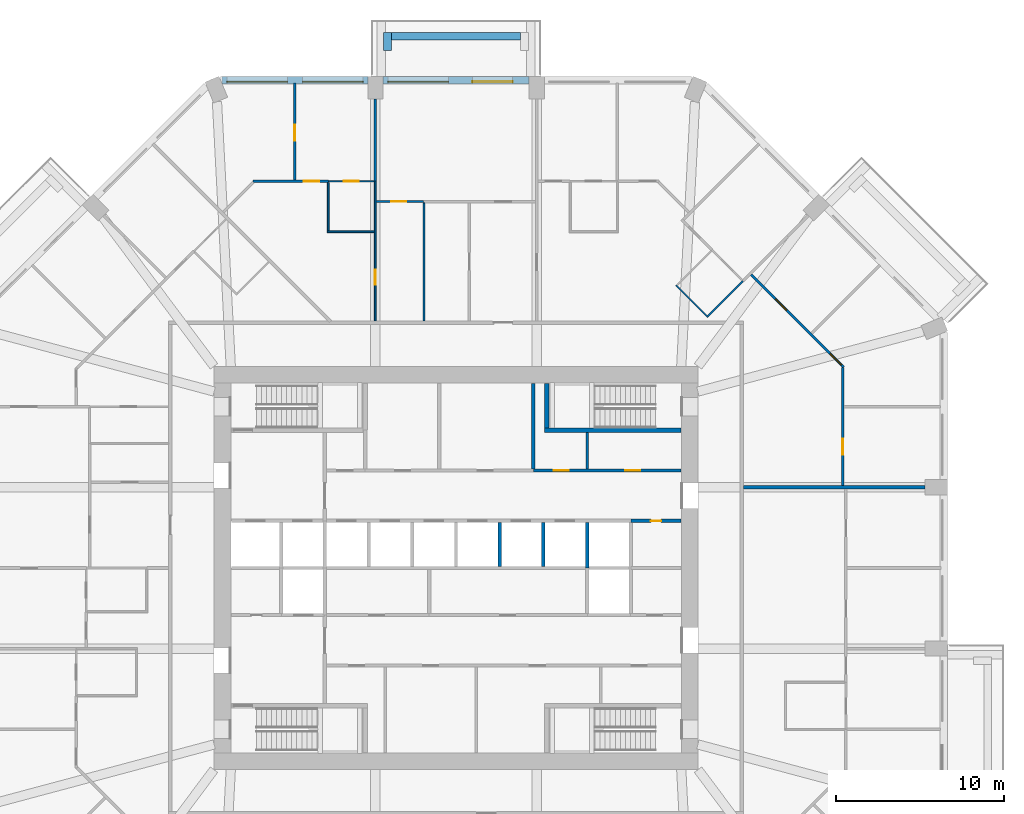
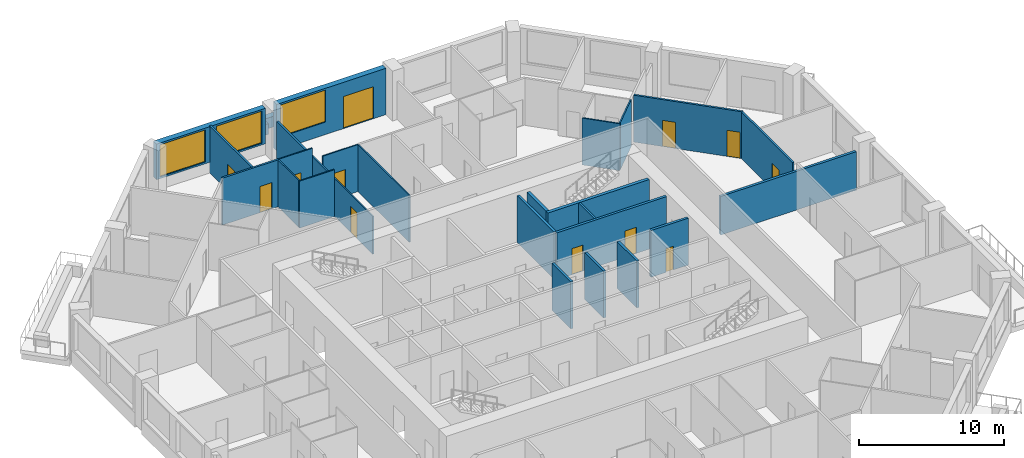
# One storey, part 9 of 13: 27 walls, 12 doors, 3 windows, 15 openings.
"""IFC4 building model written with IfcOpenShell, lengths in metres."""

from ifc_helpers import new_model, si_unit, direction, frame, frame_2d, origin, place, context, subcontext, project, spatial, rectangle, extrude, material, layer, layer_set, type_object, element, fill, save


model = new_model("IFC4")

# Units and contexts
model_context = context("Model", 3, precision=1e-05, world=origin(), true_north=direction((0.0, 1.0)))
body_context = subcontext(model_context, "Body", "Model", "MODEL_VIEW")
ifc_project = project(units=[si_unit("LENGTHUNIT", "METRE"), si_unit("AREAUNIT", "SQUARE_METRE"), si_unit("VOLUMEUNIT", "CUBIC_METRE"), si_unit("PLANEANGLEUNIT", "RADIAN"), si_unit("MASSUNIT", "GRAM", prefix="KILO")], contexts=[model_context])

# Site, building, storey
site_placement = place(None, origin())
site = spatial("IfcSite", under=ifc_project, at=site_placement, CompositionType="ELEMENT")
building_placement = place(site_placement, origin())
building = spatial("IfcBuilding", under=site, at=building_placement, Name="Msitu Wima Residences", CompositionType="ELEMENT")
storey_placement = place(building_placement, frame((0.0, 0.0, 88.5)))
storey = spatial("IfcBuildingStorey", under=building, at=storey_placement, Name="L20", CompositionType="ELEMENT", Elevation=88.5)

# Walls
ifc_material_1 = material(Name="Facing brick")
ifc_layer_1 = layer(ifc_material_1, 0.06494140625, Name="Facing brick")
ifc_material_2 = material(Name="Concrete C40/50", Category="concrete")
ifc_layer_2 = layer(ifc_material_2, 0.156005859375, Name="Concrete C40/50")
ifc_material_3 = material(Name="Waterproofing membrane")
ifc_layer_3 = layer(ifc_material_3, 0.00390625, Name="Waterproofing membrane")
ifc_material_4 = material(Name="Planting soil and planting")
ifc_layer_4 = layer(ifc_material_4, 0.22509765625, Name="Planting soil and planting")
ifc_layer_set_1 = layer_set([ifc_layer_1, ifc_layer_2, ifc_layer_3, ifc_layer_4], Name="Concrete C40/50")
wall_type_1 = type_object("IfcWallType", Name="Balcony planter PLANTER PL450", PredefinedType="USERDEFINED", material=ifc_layer_set_1)
wall_1_placement = place(storey_placement, frame((3.85009765625, 31.625, 0.0), z_axis=(0.0, 0.0, 1.0), x_axis=(-1.0, 0.0, 0.0)))
element("IfcWall", 1, at=wall_1_placement, inside=storey, type_object=wall_type_1, Name="Balcony planter N1 L20", ObjectType="PLANTER", PredefinedType="USERDEFINED", context=body_context, shape_type="SweptSolid", body=[
    extrude(rectangle(XDim=7.7001953125, YDim=0.449951171875, at=frame_2d((3.85009765625, 0.0))), origin(), (0.0, 0.0, 1.0), 0.89990234375),
])
wall_2_placement = place(storey_placement, frame((-4.074951171875, 30.800048828125, 0.0), z_axis=(0.0, 0.0, 1.0), x_axis=(0.0, 1.0, 0.0)))
element("IfcWall", 2, at=wall_2_placement, inside=storey, type_object=wall_type_1, Name="Balcony planter N1 L20", ObjectType="PLANTER", PredefinedType="USERDEFINED", context=body_context, shape_type="SweptSolid", body=[
    extrude(rectangle(XDim=1.050048828125, YDim=0.449951171875, at=frame_2d((0.52490234375, 0.0))), origin(), (0.0, 0.0, 1.0), 0.89990234375),
])

# Wall, openings, door, window
ifc_material_5 = material(Name="Brick (red buff mix)", Category="masonry")
ifc_layer_5 = layer(ifc_material_5, 0.449951171875)
ifc_layer_set_2 = layer_set([ifc_layer_5], Name="Brick (red buff mix)")
wall_type_2 = type_object("IfcWallType", Name="Brick infill wall BW450", PredefinedType="SOLIDWALL", material=ifc_layer_set_2)
wall_3_placement = place(storey_placement, frame((4.35009765625, 29.02490234375, 0.0), z_axis=(0.0, 0.0, 1.0), x_axis=(-1.0, 0.0, 0.0)))
wall_3 = element("IfcWall", 3, at=wall_3_placement, inside=storey, type_object=wall_type_2, Name="Brick infill wall L20 N1", PredefinedType="SOLIDWALL", context=body_context, shape_type="SweptSolid", body=[
    extrude(rectangle(XDim=8.7001953125, YDim=0.449951171875, at=frame_2d((4.35009765625, 0.0))), origin(), (0.0, 0.0, 1.0), 3.89990234375),
])
opening_1_placement = place(wall_3_placement, frame((0.97509765625, 0.0, 0.0)))
opening_1 = element("IfcOpeningElement", 4, at=opening_1_placement, cuts=wall_3, Name="Opening D18-20.002", PredefinedType="OPENING", context=body_context, shape_type="SweptSolid", body=[
    extrude(rectangle(XDim=2.39990234375, YDim=2.699951171875, at=frame_2d((1.199951171875, 1.35009765625))), frame((0.0, 0.23486328125, 0.0), z_axis=(0.0, -1.0, 0.0), x_axis=(1.0, 0.0, 0.0)), (0.0, 0.0, 1.0), 0.469970703125),
])
opening_2_placement = place(wall_3_placement, frame((4.800048828125, 0.0, 1.050048828125)))
opening_2 = element("IfcOpeningElement", 5, at=opening_2_placement, cuts=wall_3, Name="Opening W18-20.008", PredefinedType="OPENING", context=body_context, shape_type="SweptSolid", body=[
    extrude(rectangle(XDim=3.60009765625, YDim=2.699951171875, at=frame_2d((1.800048828125, 1.35009765625))), frame((0.0, 0.23486328125, 0.0), z_axis=(0.0, -1.0, 0.0), x_axis=(1.0, 0.0, 0.0)), (0.0, 0.0, 1.0), 0.469970703125),
])
ifc_material_6 = material(Name="Anodised aluminium, bronze finish, clear low-emissivity double glazing", Category="aluminium")
door_type_1 = type_object("IfcDoorType", Name="Balcony door D2400x2700", OperationType="SLIDING_TO_LEFT", PredefinedType="DOOR", material=ifc_material_6)
door_1_placement = place(opening_1_placement, origin())
door_1 = element("IfcDoor", 6, at=door_1_placement, inside=storey, type_object=door_type_1, Name="Balcony door L20 N1", OperationType="SINGLE_SWING_LEFT", OverallHeight=2.699951171875, OverallWidth=2.39990234375, PredefinedType="DOOR", context=body_context, shape_type="SweptSolid", body=[
    extrude(rectangle(XDim=2.39990234375, YDim=2.699951171875, at=frame_2d((1.199951171875, 1.35009765625))), frame((0.0, 0.1298828125, 0.0), z_axis=(0.0, -1.0, 0.0), x_axis=(1.0, 0.0, 0.0)), (0.0, 0.0, 1.0), 0.050048828125),
])
fill(opening_1, door_1)
window_type = type_object("IfcWindowType", Name="Window W3600x2700", PartitioningType="DOUBLE_PANEL_VERTICAL", PredefinedType="WINDOW", material=ifc_material_6)
window_1_placement = place(opening_2_placement, origin())
window_1 = element("IfcWindow", 7, at=window_1_placement, inside=storey, type_object=window_type, Name="Window L20 N1.2", OverallHeight=2.699951171875, OverallWidth=3.60009765625, PartitioningType="SINGLE_PANEL", PredefinedType="WINDOW", context=body_context, shape_type="SweptSolid", body=[
    extrude(rectangle(XDim=3.60009765625, YDim=2.699951171875, at=frame_2d((1.800048828125, 1.35009765625))), frame((0.0, 0.135009765625, 0.0), z_axis=(0.0, -1.0, 0.0), x_axis=(1.0, 0.0, 0.0)), (0.0, 0.0, 1.0), 0.06005859375),
])
fill(opening_2, window_1)

# Wall, openings, windows
wall_4_placement = place(storey_placement, frame((-5.25, 29.02490234375, 0.89990234375), z_axis=(0.0, 0.0, 1.0), x_axis=(-1.0, 0.0, 0.0)))
wall_4 = element("IfcWall", 8, at=wall_4_placement, inside=storey, type_object=wall_type_2, Name="Brick infill wall L20 N2", PredefinedType="SOLIDWALL", context=body_context, shape_type="SweptSolid", body=[
    extrude(rectangle(XDim=8.662841796875, YDim=0.449951171875, at=frame_2d((4.33154296875, 0.0))), origin(), (0.0, 0.0, 1.0), 3.0),
])
opening_3_placement = place(wall_4_placement, frame((0.281494140625, 0.0, 0.14990234375)))
opening_3 = element("IfcOpeningElement", 9, at=opening_3_placement, cuts=wall_4, Name="Opening W18-20.009", PredefinedType="OPENING", context=body_context, shape_type="SweptSolid", body=[
    extrude(rectangle(XDim=3.60009765625, YDim=2.699951171875, at=frame_2d((1.800048828125, 1.35009765625))), frame((0.0, 0.23486328125, 0.0), z_axis=(0.0, -1.0, 0.0), x_axis=(1.0, 0.0, 0.0)), (0.0, 0.0, 1.0), 0.469970703125),
])
opening_4_placement = place(wall_4_placement, frame((4.781494140625, 0.0, 0.14990234375)))
opening_4 = element("IfcOpeningElement", 10, at=opening_4_placement, cuts=wall_4, Name="Opening W18-20.010", PredefinedType="OPENING", context=body_context, shape_type="SweptSolid", body=[
    extrude(rectangle(XDim=3.60009765625, YDim=2.699951171875, at=frame_2d((1.800048828125, 1.35009765625))), frame((0.0, 0.23486328125, 0.0), z_axis=(0.0, -1.0, 0.0), x_axis=(1.0, 0.0, 0.0)), (0.0, 0.0, 1.0), 0.469970703125),
])
window_2_placement = place(opening_3_placement, origin())
window_2 = element("IfcWindow", 11, at=window_2_placement, inside=storey, type_object=window_type, Name="Window L20 N2.1", OverallHeight=2.699951171875, OverallWidth=3.60009765625, PartitioningType="SINGLE_PANEL", PredefinedType="WINDOW", context=body_context, shape_type="SweptSolid", body=[
    extrude(rectangle(XDim=3.60009765625, YDim=2.699951171875, at=frame_2d((1.800048828125, 1.35009765625))), frame((0.0, 0.135009765625, 0.0), z_axis=(0.0, -1.0, 0.0), x_axis=(1.0, 0.0, 0.0)), (0.0, 0.0, 1.0), 0.06005859375),
])
fill(opening_3, window_2)
window_3_placement = place(opening_4_placement, origin())
window_3 = element("IfcWindow", 12, at=window_3_placement, inside=storey, type_object=window_type, Name="Window L20 N2.2", OverallHeight=2.699951171875, OverallWidth=3.60009765625, PartitioningType="SINGLE_PANEL", PredefinedType="WINDOW", context=body_context, shape_type="SweptSolid", body=[
    extrude(rectangle(XDim=3.60009765625, YDim=2.699951171875, at=frame_2d((1.800048828125, 1.35009765625))), frame((0.0, 0.135009765625, 0.0), z_axis=(0.0, -1.0, 0.0), x_axis=(1.0, 0.0, 0.0)), (0.0, 0.0, 1.0), 0.06005859375),
])
fill(opening_4, window_3)

# Wall, openings, doors
ifc_material_7 = material(Name="Plaster")
ifc_layer_6 = layer(ifc_material_7, 0.011962890625, Name="Plaster")
ifc_material_8 = material(Name="Concrete blockwork", Category="masonry")
ifc_layer_7 = layer(ifc_material_8, 0.176025390625, Name="Concrete blockwork")
ifc_layer_8 = layer(ifc_material_7, 0.011962890625, Name="Plaster")
ifc_layer_set_3 = layer_set([ifc_layer_6, ifc_layer_7, ifc_layer_8], Name="Concrete blockwork")
wall_type_3 = type_object("IfcWallType", Name="Corridor wall FW200", PredefinedType="PARTITIONING", material=ifc_layer_set_3)
wall_5_placement = place(storey_placement, frame((4.6201171875, 5.800048828125, 0.0), z_axis=(0.0, 0.0, 1.0), x_axis=(1.0, 0.0, 0.0)))
wall_5 = element("IfcWall", 13, at=wall_5_placement, inside=storey, type_object=wall_type_3, Name="Corridor wall", PredefinedType="PARTITIONING", context=body_context, shape_type="SweptSolid", body=[
    extrude(rectangle(XDim=8.75, YDim=0.199951171875, at=frame_2d((4.375, 0.0))), origin(), (0.0, 0.0, 1.0), 3.949951171875),
])
opening_5_placement = place(wall_5_placement, frame((1.199951171875, 0.0, 0.0)))
opening_5 = element("IfcOpeningElement", 14, at=opening_5_placement, cuts=wall_5, Name="Opening D18-20.019", PredefinedType="OPENING", context=body_context, shape_type="SweptSolid", body=[
    extrude(rectangle(XDim=0.89990234375, YDim=2.199951171875, at=frame_2d((0.449951171875, 1.10009765625))), frame((0.0, 0.10986328125, 0.0), z_axis=(0.0, -1.0, 0.0), x_axis=(1.0, 0.0, 0.0)), (0.0, 0.0, 1.0), 0.219970703125),
])
opening_6_placement = place(wall_5_placement, frame((5.449951171875, 0.0, 0.0)))
opening_6 = element("IfcOpeningElement", 15, at=opening_6_placement, cuts=wall_5, Name="Opening D18-20.020", PredefinedType="OPENING", context=body_context, shape_type="SweptSolid", body=[
    extrude(rectangle(XDim=0.89990234375, YDim=2.199951171875, at=frame_2d((0.449951171875, 1.10009765625))), frame((0.0, 0.10986328125, 0.0), z_axis=(0.0, -1.0, 0.0), x_axis=(1.0, 0.0, 0.0)), (0.0, 0.0, 1.0), 0.219970703125),
])
ifc_material_9 = material(Name="Timber flush door", Category="wood")
door_type_2 = type_object("IfcDoorType", Name="Service door D05 900x2200", OperationType="SINGLE_SWING_LEFT", PredefinedType="DOOR", material=ifc_material_9)
door_2_placement = place(opening_5_placement, origin())
door_2 = element("IfcDoor", 16, at=door_2_placement, inside=storey, type_object=door_type_2, Name="Service door", OperationType="SINGLE_SWING_RIGHT", OverallHeight=2.199951171875, OverallWidth=0.89990234375, PredefinedType="DOOR", context=body_context, shape_type="SweptSolid", body=[
    extrude(rectangle(XDim=0.89990234375, YDim=2.199951171875, at=frame_2d((0.449951171875, 1.10009765625))), frame((0.0, 0.02490234375, 0.0), z_axis=(0.0, -1.0, 0.0), x_axis=(1.0, 0.0, 0.0)), (0.0, 0.0, 1.0), 0.050048828125),
])
fill(opening_5, door_2)
door_3_placement = place(opening_6_placement, origin())
door_3 = element("IfcDoor", 17, at=door_3_placement, inside=storey, type_object=door_type_2, Name="Service door", OperationType="SINGLE_SWING_LEFT", OverallHeight=2.199951171875, OverallWidth=0.89990234375, PredefinedType="DOOR", context=body_context, shape_type="SweptSolid", body=[
    extrude(rectangle(XDim=0.89990234375, YDim=2.199951171875, at=frame_2d((0.449951171875, 1.10009765625))), frame((0.0, 0.02490234375, 0.0), z_axis=(0.0, -1.0, 0.0), x_axis=(1.0, 0.0, 0.0)), (0.0, 0.0, 1.0), 0.050048828125),
])
fill(opening_6, door_3)

# Wall, opening, door
ifc_layer_9 = layer(ifc_material_7, 0.011962890625, Name="Plaster")
ifc_layer_10 = layer(ifc_material_8, 0.1259765625, Name="Concrete blockwork")
ifc_layer_11 = layer(ifc_material_7, 0.011962890625, Name="Plaster")
ifc_layer_set_4 = layer_set([ifc_layer_9, ifc_layer_10, ifc_layer_11], Name="Concrete blockwork")
wall_type_4 = type_object("IfcWallType", Name="Partition PW150", PredefinedType="PARTITIONING", material=ifc_layer_set_4)
wall_6_placement = place(storey_placement, frame((-12.072509765625, 23.0, 0.0), z_axis=(0.0, 0.0, 1.0), x_axis=(1.0, 0.0, 0.0)))
wall_6 = element("IfcWall", 18, at=wall_6_placement, inside=storey, type_object=wall_type_4, Name="Partition", PredefinedType="PARTITIONING", context=body_context, shape_type="SweptSolid", body=[
    extrude(rectangle(XDim=4.492431640625, YDim=0.14990234375, at=frame_2d((2.24609375, 0.0))), origin(), (0.0, 0.0, 1.0), 3.949951171875),
])
opening_7_placement = place(wall_6_placement, frame((3.0, 0.0, 0.0)))
opening_7 = element("IfcOpeningElement", 19, at=opening_7_placement, cuts=wall_6, Name="Opening D18-20.042", PredefinedType="OPENING", context=body_context, shape_type="SweptSolid", body=[
    extrude(rectangle(XDim=0.949951171875, YDim=2.199951171875, at=frame_2d((0.47509765625, 1.10009765625))), frame((0.0, 0.0849609375, 0.0), z_axis=(0.0, -1.0, 0.0), x_axis=(1.0, 0.0, 0.0)), (0.0, 0.0, 1.0), 0.169921875),
])
door_type_3 = type_object("IfcDoorType", Name="Room door D12 950x2200", OperationType="SINGLE_SWING_LEFT", PredefinedType="DOOR", material=ifc_material_9)
door_4_placement = place(opening_7_placement, origin())
door_4 = element("IfcDoor", 20, at=door_4_placement, inside=storey, type_object=door_type_3, Name="Room door", OperationType="SINGLE_SWING_LEFT", OverallHeight=2.199951171875, OverallWidth=0.949951171875, PredefinedType="DOOR", context=body_context, shape_type="SweptSolid", body=[
    extrude(rectangle(XDim=0.949951171875, YDim=2.199951171875, at=frame_2d((0.47509765625, 1.10009765625))), frame((0.0, 0.02490234375, 0.0), z_axis=(0.0, -1.0, 0.0), x_axis=(1.0, 0.0, 0.0)), (0.0, 0.0, 1.0), 0.050048828125),
])
fill(opening_7, door_4)

wall_7_placement = place(storey_placement, frame((-9.60009765625, 23.074951171875, 0.0), z_axis=(0.0, 0.0, 1.0), x_axis=(0.0, 1.0, 0.0)))
wall_7 = element("IfcWall", 21, at=wall_7_placement, inside=storey, type_object=wall_type_4, Name="Partition", PredefinedType="PARTITIONING", context=body_context, shape_type="SweptSolid", body=[
    extrude(rectangle(XDim=5.780029296875, YDim=0.14990234375, at=frame_2d((2.89013671875, 0.0))), origin(), (0.0, 0.0, 1.0), 3.949951171875),
])
opening_8_placement = place(wall_7_placement, frame((2.35009765625, 0.0, 0.0)))
opening_8 = element("IfcOpeningElement", 22, at=opening_8_placement, cuts=wall_7, Name="Opening D18-20.044", PredefinedType="OPENING", context=body_context, shape_type="SweptSolid", body=[
    extrude(rectangle(XDim=0.949951171875, YDim=2.199951171875, at=frame_2d((0.47509765625, 1.10009765625))), frame((0.0, 0.0849609375, 0.0), z_axis=(0.0, -1.0, 0.0), x_axis=(1.0, 0.0, 0.0)), (0.0, 0.0, 1.0), 0.169921875),
])
door_5_placement = place(opening_8_placement, origin())
door_5 = element("IfcDoor", 23, at=door_5_placement, inside=storey, type_object=door_type_3, Name="Room door", OperationType="SINGLE_SWING_LEFT", OverallHeight=2.199951171875, OverallWidth=0.949951171875, PredefinedType="DOOR", context=body_context, shape_type="SweptSolid", body=[
    extrude(rectangle(XDim=0.949951171875, YDim=2.199951171875, at=frame_2d((0.47509765625, 1.10009765625))), frame((0.0, 0.02490234375, 0.0), z_axis=(0.0, -1.0, 0.0), x_axis=(1.0, 0.0, 0.0)), (0.0, 0.0, 1.0), 0.050048828125),
])
fill(opening_8, door_5)

# Walls
wall_8_placement = place(storey_placement, frame((-4.800048828125, 23.02001953125, 0.0), z_axis=(0.0, 0.0, 1.0), x_axis=(0.0, 1.0, 0.0)))
element("IfcWall", 24, at=wall_8_placement, inside=storey, type_object=wall_type_4, Name="Partition", PredefinedType="PARTITIONING", context=body_context, shape_type="SweptSolid", body=[
    extrude(rectangle(XDim=4.8798828125, YDim=0.14990234375, at=frame_2d((2.43994140625, 0.0))), origin(), (0.0, 0.0, 1.0), 3.199951171875),
])
wall_9_placement = place(storey_placement, frame((7.800048828125, 5.89990234375, 0.0), z_axis=(0.0, 0.0, 1.0), x_axis=(0.0, 1.0, 0.0)))
element("IfcWall", 25, at=wall_9_placement, inside=storey, type_object=wall_type_4, Name="Partition", PredefinedType="PARTITIONING", context=body_context, shape_type="SweptSolid", body=[
    extrude(rectangle(XDim=2.175048828125, YDim=0.14990234375, at=frame_2d((1.08740234375, 0.0))), origin(), (0.0, 0.0, 1.0), 3.949951171875),
])

# Wall, openings, doors
wall_10_placement = place(storey_placement, frame((17.5517578125, 17.44580078125, 0.0), z_axis=(0.0, 0.0, 1.0), x_axis=(0.707106781187, -0.707106781187, 0.0)))
wall_10 = element("IfcWall", 26, at=wall_10_placement, inside=storey, type_object=wall_type_4, Name="Partition", PredefinedType="PARTITIONING", context=body_context, shape_type="SweptSolid", body=[
    extrude(rectangle(XDim=7.77978515625, YDim=0.14990234375, at=frame_2d((3.889892578125, 0.0))), origin(), (0.0, 0.0, 1.0), 3.949951171875),
])
opening_9_placement = place(wall_10_placement, frame((2.050048828125, 0.0, 0.0)))
opening_9 = element("IfcOpeningElement", 27, at=opening_9_placement, cuts=wall_10, Name="Opening D18-20.070", PredefinedType="OPENING", context=body_context, shape_type="SweptSolid", body=[
    extrude(rectangle(XDim=0.949951171875, YDim=2.199951171875, at=frame_2d((0.47509765625, 1.10009765625))), frame((0.0, 0.0849609375, 0.0), z_axis=(0.0, -1.0, 0.0), x_axis=(1.0, 0.0, 0.0)), (0.0, 0.0, 1.0), 0.169921875),
])
opening_10_placement = place(wall_10_placement, frame((6.64990234375, 0.0, 0.0)))
opening_10 = element("IfcOpeningElement", 28, at=opening_10_placement, cuts=wall_10, Name="Opening D18-20.038", PredefinedType="OPENING", context=body_context, shape_type="SweptSolid", body=[
    extrude(rectangle(XDim=0.949951171875, YDim=2.199951171875, at=frame_2d((0.47509765625, 1.10009765625))), frame((0.0, 0.0849609375, 0.0), z_axis=(0.0, -1.0, 0.0), x_axis=(1.0, 0.0, 0.0)), (0.0, 0.0, 1.0), 0.169921875),
])
door_6_placement = place(opening_9_placement, origin())
door_6 = element("IfcDoor", 29, at=door_6_placement, inside=storey, type_object=door_type_3, Name="Room door", OperationType="SINGLE_SWING_RIGHT", OverallHeight=2.199951171875, OverallWidth=0.949951171875, PredefinedType="DOOR", context=body_context, shape_type="SweptSolid", body=[
    extrude(rectangle(XDim=0.949951171875, YDim=2.199951171875, at=frame_2d((0.47509765625, 1.10009765625))), frame((0.0, 0.02490234375, 0.0), z_axis=(0.0, -1.0, 0.0), x_axis=(1.0, 0.0, 0.0)), (0.0, 0.0, 1.0), 0.050048828125),
])
fill(opening_9, door_6)
door_7_placement = place(opening_10_placement, origin())
door_7 = element("IfcDoor", 30, at=door_7_placement, inside=storey, type_object=door_type_3, Name="Room door", OperationType="SINGLE_SWING_LEFT", OverallHeight=2.199951171875, OverallWidth=0.949951171875, PredefinedType="DOOR", context=body_context, shape_type="SweptSolid", body=[
    extrude(rectangle(XDim=0.949951171875, YDim=2.199951171875, at=frame_2d((0.47509765625, 1.10009765625))), frame((0.0, 0.02490234375, 0.0), z_axis=(0.0, -1.0, 0.0), x_axis=(1.0, 0.0, 0.0)), (0.0, 0.0, 1.0), 0.050048828125),
])
fill(opening_10, door_7)

# Wall, opening, door
wall_11_placement = place(storey_placement, frame((23.0, 4.89990234375, 0.0), z_axis=(0.0, 0.0, 1.0), x_axis=(0.0, 1.0, 0.0)))
wall_11 = element("IfcWall", 31, at=wall_11_placement, inside=storey, type_object=wall_type_4, Name="Partition", PredefinedType="PARTITIONING", context=body_context, shape_type="SweptSolid", body=[
    extrude(rectangle(XDim=7.022705078125, YDim=0.14990234375, at=frame_2d((3.51123046875, 0.0))), origin(), (0.0, 0.0, 1.0), 3.949951171875),
])
opening_11_placement = place(wall_11_placement, frame((1.85009765625, 0.0, 0.0)))
opening_11 = element("IfcOpeningElement", 32, at=opening_11_placement, cuts=wall_11, Name="Opening D18-20.059", PredefinedType="OPENING", context=body_context, shape_type="SweptSolid", body=[
    extrude(rectangle(XDim=0.949951171875, YDim=2.199951171875, at=frame_2d((0.47509765625, 1.10009765625))), frame((0.0, 0.0849609375, 0.0), z_axis=(0.0, -1.0, 0.0), x_axis=(1.0, 0.0, 0.0)), (0.0, 0.0, 1.0), 0.169921875),
])
door_8_placement = place(opening_11_placement, origin())
door_8 = element("IfcDoor", 33, at=door_8_placement, inside=storey, type_object=door_type_3, Name="Room door", OperationType="SINGLE_SWING_LEFT", OverallHeight=2.199951171875, OverallWidth=0.949951171875, PredefinedType="DOOR", context=body_context, shape_type="SweptSolid", body=[
    extrude(rectangle(XDim=0.949951171875, YDim=2.199951171875, at=frame_2d((0.47509765625, 1.10009765625))), frame((0.0, 0.02490234375, 0.0), z_axis=(0.0, -1.0, 0.0), x_axis=(1.0, 0.0, 0.0)), (0.0, 0.0, 1.0), 0.050048828125),
])
fill(opening_11, door_8)

# Walls
ifc_layer_12 = layer(ifc_material_7, 0.011962890625, Name="Plaster")
ifc_material_10 = material(Name="Dense concrete blockwork", Category="masonry")
ifc_layer_13 = layer(ifc_material_10, 0.176025390625, Name="Dense concrete blockwork")
ifc_layer_14 = layer(ifc_material_7, 0.011962890625, Name="Plaster")
ifc_layer_set_5 = layer_set([ifc_layer_12, ifc_layer_13, ifc_layer_14], Name="Dense concrete blockwork")
wall_type_5 = type_object("IfcWallType", Name="Party wall PW200", PredefinedType="PARTITIONING", material=ifc_layer_set_5)
wall_12_placement = place(storey_placement, frame((17.10009765625, 4.800048828125, 0.0), z_axis=(0.0, 0.0, 1.0), x_axis=(1.0, 0.0, 0.0)))
element("IfcWall", 34, at=wall_12_placement, inside=storey, type_object=wall_type_5, Name="Party wall", PredefinedType="PARTITIONING", context=body_context, shape_type="SweptSolid", body=[
    extrude(rectangle(XDim=10.7998046875, YDim=0.199951171875, at=frame_2d((5.39990234375, 0.0))), origin(), (0.0, 0.0, 1.0), 3.25),
])
ifc_layer_15 = layer(ifc_material_7, 0.011962890625, Name="Plaster")
ifc_material_11 = material(Name="Reinforced concrete blockwork", Category="masonry")
ifc_layer_16 = layer(ifc_material_11, 0.176025390625, Name="Reinforced concrete blockwork")
ifc_layer_17 = layer(ifc_material_7, 0.011962890625, Name="Plaster")
ifc_layer_set_6 = layer_set([ifc_layer_15, ifc_layer_16, ifc_layer_17], Name="Reinforced concrete blockwork")
wall_type_6 = type_object("IfcWallType", Name="Plant and riser wall PL200", PredefinedType="PARTITIONING", material=ifc_layer_set_6)
wall_13_placement = place(storey_placement, frame((4.60009765625, 5.89990234375, 0.0), z_axis=(0.0, 0.0, 1.0), x_axis=(0.0, 1.0, 0.0)))
element("IfcWall", 35, at=wall_13_placement, inside=storey, type_object=wall_type_6, Name="Plant and riser wall", PredefinedType="PARTITIONING", context=body_context, shape_type="SweptSolid", body=[
    extrude(rectangle(XDim=5.070068359375, YDim=0.199951171875, at=frame_2d((2.53515625, 0.0))), origin(), (0.0, 0.0, 1.0), 3.949951171875),
])

# Wall, opening, door
wall_14_placement = place(storey_placement, frame((10.39990234375, 2.800048828125, 0.0), z_axis=(0.0, 0.0, 1.0), x_axis=(1.0, 0.0, 0.0)))
wall_14 = element("IfcWall", 36, at=wall_14_placement, inside=storey, type_object=wall_type_6, Name="Plant and riser wall", PredefinedType="PARTITIONING", context=body_context, shape_type="SweptSolid", body=[
    extrude(rectangle(XDim=2.97021484375, YDim=0.199951171875, at=frame_2d((1.485107421875, 0.0))), origin(), (0.0, 0.0, 1.0), 3.949951171875),
])
opening_12_placement = place(wall_14_placement, frame((1.199951171875, 0.0, 0.0)))
opening_12 = element("IfcOpeningElement", 37, at=opening_12_placement, cuts=wall_14, Name="Opening D18-20.027", PredefinedType="OPENING", context=body_context, shape_type="SweptSolid", body=[
    extrude(rectangle(XDim=0.60009765625, YDim=2.0, at=frame_2d((0.300048828125, 1.0))), frame((0.0, 0.10986328125, 0.0), z_axis=(0.0, -1.0, 0.0), x_axis=(1.0, 0.0, 0.0)), (0.0, 0.0, 1.0), 0.219970703125),
])
ifc_material_12 = material(Name="Steel access door, fire resisting", Category="steel")
door_type_4 = type_object("IfcDoorType", Name="Riser access door D08 600x2000", OperationType="SINGLE_SWING_LEFT", PredefinedType="DOOR", material=ifc_material_12)
door_9_placement = place(opening_12_placement, origin())
door_9 = element("IfcDoor", 38, at=door_9_placement, inside=storey, type_object=door_type_4, Name="Riser access door", OperationType="SINGLE_SWING_RIGHT", OverallHeight=2.0, OverallWidth=0.60009765625, PredefinedType="DOOR", context=body_context, shape_type="SweptSolid", body=[
    extrude(rectangle(XDim=0.60009765625, YDim=2.0, at=frame_2d((0.300048828125, 1.0))), frame((0.0, 0.02490234375, 0.0), z_axis=(0.0, -1.0, 0.0), x_axis=(1.0, 0.0, 0.0)), (0.0, 0.0, 1.0), 0.050048828125),
])
fill(opening_12, door_9)

# Walls
ifc_material_13 = material(Name="Fire-rated board")
ifc_layer_18 = layer(ifc_material_13, 0.02490234375, Name="Fire-rated board")
ifc_material_14 = material(Name="Light-gauge stud framing with mineral wool")
ifc_layer_19 = layer(ifc_material_14, 0.14990234375, Name="Light-gauge stud framing with mineral wool")
ifc_layer_20 = layer(ifc_material_13, 0.02490234375, Name="Fire-rated board")
ifc_layer_set_7 = layer_set([ifc_layer_18, ifc_layer_19, ifc_layer_20], Name="Light-gauge stud framing with mineral wool")
wall_type_7 = type_object("IfcWallType", Name="Shaft wall SH200", PredefinedType="PARTITIONING", material=ifc_layer_set_7)
for number, where, z_axis, x_axis, name in (
    (39, (2.60009765625, 0.10009765625, 0.0), (0.0, 0.0, 1.0), (0.0, 1.0, 0.0), "Shaft wall"),
    (40, (5.199951171875, 0.10009765625, 0.0), (0.0, 0.0, 1.0), (0.0, 1.0, 0.0), "Shaft wall"),
):
    element("IfcWall", number, at=place(storey_placement, frame(where, z_axis=z_axis, x_axis=x_axis)), inside=storey, type_object=wall_type_7, Name=name, PredefinedType="PARTITIONING", context=body_context, shape_type="SweptSolid", body=[
        extrude(rectangle(XDim=2.599853515625, YDim=0.199951171875, at=frame_2d((1.2998046875, 0.0))), origin(), (0.0, 0.0, 1.0), 3.949951171875),
    ])
wall_15_placement = place(storey_placement, frame((7.800048828125, 0.0, 0.0), z_axis=(0.0, 0.0, 1.0), x_axis=(0.0, 1.0, 0.0)))
element("IfcWall", 41, at=wall_15_placement, inside=storey, type_object=wall_type_7, Name="Shaft wall", PredefinedType="PARTITIONING", context=body_context, shape_type="SweptSolid", body=[
    extrude(rectangle(XDim=2.699951171875, YDim=0.199951171875, at=frame_2d((1.35009765625, 0.0))), origin(), (0.0, 0.0, 1.0), 3.949951171875),
])
ifc_material_15 = material(Name="Concrete C50/60", Category="concrete")
ifc_layer_21 = layer(ifc_material_15, 0.25)
ifc_layer_set_8 = layer_set([ifc_layer_21], Name="Concrete C50/60")
wall_type_8 = type_object("IfcWallType", Name="Stair enclosure wall SW250", PredefinedType="SHEAR", material=ifc_layer_set_8)
wall_16_placement = place(storey_placement, frame((5.39990234375, 8.324951171875, 0.0), z_axis=(0.0, 0.0, 1.0), x_axis=(0.0, 1.0, 0.0)))
element("IfcWall", 42, at=wall_16_placement, inside=storey, type_object=wall_type_8, Name="Stair enclosure wall", PredefinedType="SHEAR", context=body_context, shape_type="SweptSolid", body=[
    extrude(rectangle(XDim=2.64501953125, YDim=0.25, at=frame_2d((1.322509765625, 0.0))), origin(), (0.0, 0.0, 1.0), 3.949951171875),
])
wall_17_placement = place(storey_placement, frame((5.27490234375, 8.199951171875, 0.0), z_axis=(0.0, 0.0, 1.0), x_axis=(1.0, 0.0, 0.0)))
element("IfcWall", 43, at=wall_17_placement, inside=storey, type_object=wall_type_8, Name="Stair enclosure wall", PredefinedType="SHEAR", context=body_context, shape_type="SweptSolid", body=[
    extrude(rectangle(XDim=8.09521484375, YDim=0.25, at=frame_2d((4.047607421875, 0.0))), origin(), (0.0, 0.0, 1.0), 3.949951171875),
])

# Wall, opening, door
ifc_material_16 = material(Name="Ceramic tiles")
ifc_layer_22 = layer(ifc_material_16, 0.008056640625, Name="Ceramic tiles")
ifc_material_17 = material(Name="Moisture-resistant board")
ifc_layer_23 = layer(ifc_material_17, 0.012451171875, Name="Moisture-resistant board")
ifc_layer_24 = layer(ifc_material_14, 0.06689453125, Name="Light-gauge stud framing with mineral wool")
ifc_layer_25 = layer(ifc_material_17, 0.012451171875, Name="Moisture-resistant board")
ifc_layer_set_9 = layer_set([ifc_layer_22, ifc_layer_23, ifc_layer_24, ifc_layer_25], Name="Light-gauge stud framing with mineral wool")
wall_type_9 = type_object("IfcWallType", Name="Wet wall PW100", PredefinedType="PARTITIONING", material=ifc_layer_set_9)
wall_18_placement = place(storey_placement, frame((-7.580078125, 23.0, 0.0), z_axis=(0.0, 0.0, 1.0), x_axis=(1.0, 0.0, 0.0)))
wall_18 = element("IfcWall", 44, at=wall_18_placement, inside=storey, type_object=wall_type_9, Name="Wet wall", PredefinedType="PARTITIONING", context=body_context, shape_type="SweptSolid", body=[
    extrude(rectangle(XDim=2.705078125, YDim=0.10009765625, at=frame_2d((1.3525390625, 0.0))), origin(), (0.0, 0.0, 1.0), 3.949951171875),
])
opening_13_placement = place(wall_18_placement, frame((0.89990234375, 0.0, 0.0)))
opening_13 = element("IfcOpeningElement", 45, at=opening_13_placement, cuts=wall_18, Name="Opening D18-20.043", PredefinedType="OPENING", context=body_context, shape_type="SweptSolid", body=[
    extrude(rectangle(XDim=0.89990234375, YDim=2.199951171875, at=frame_2d((0.449951171875, 1.10009765625))), frame((0.0, 0.06005859375, 0.0), z_axis=(0.0, -1.0, 0.0), x_axis=(1.0, 0.0, 0.0)), (0.0, 0.0, 1.0), 0.1201171875),
])
ifc_material_18 = material(Name="Timber flush door, moisture resistant", Category="wood")
door_type_5 = type_object("IfcDoorType", Name="Bathroom door D03 900x2200", OperationType="SINGLE_SWING_LEFT", PredefinedType="DOOR", material=ifc_material_18)
door_10_placement = place(opening_13_placement, origin())
door_10 = element("IfcDoor", 46, at=door_10_placement, inside=storey, type_object=door_type_5, Name="Bathroom door", OperationType="SINGLE_SWING_RIGHT", OverallHeight=2.199951171875, OverallWidth=0.89990234375, PredefinedType="DOOR", context=body_context, shape_type="SweptSolid", body=[
    extrude(rectangle(XDim=0.89990234375, YDim=2.199951171875, at=frame_2d((0.449951171875, 1.10009765625))), frame((0.0, 0.02490234375, 0.0), z_axis=(0.0, -1.0, 0.0), x_axis=(1.0, 0.0, 0.0)), (0.0, 0.0, 1.0), 0.050048828125),
])
fill(opening_13, door_10)

# Walls
wall_19_placement = place(storey_placement, frame((-7.60009765625, 20.050048828125, 0.0), z_axis=(0.0, 0.0, 1.0), x_axis=(0.0, 1.0, 0.0)))
element("IfcWall", 47, at=wall_19_placement, inside=storey, type_object=wall_type_9, Name="Wet wall", PredefinedType="PARTITIONING", context=body_context, shape_type="SweptSolid", body=[
    extrude(rectangle(XDim=2.875, YDim=0.10009765625, at=frame_2d((1.4375, 0.0))), origin(), (0.0, 0.0, 1.0), 3.949951171875),
])
wall_20_placement = place(storey_placement, frame((-7.64990234375, 20.0, 0.0), z_axis=(0.0, 0.0, 1.0), x_axis=(1.0, 0.0, 0.0)))
element("IfcWall", 48, at=wall_20_placement, inside=storey, type_object=wall_type_9, Name="Wet wall", PredefinedType="PARTITIONING", context=body_context, shape_type="SweptSolid", body=[
    extrude(rectangle(XDim=2.7998046875, YDim=0.10009765625, at=frame_2d((1.39990234375, 0.0))), origin(), (0.0, 0.0, 1.0), 3.949951171875),
])

# Wall, opening, door
wall_21_placement = place(storey_placement, frame((-4.800048828125, 14.699951171875, 0.0), z_axis=(0.0, 0.0, 1.0), x_axis=(0.0, 1.0, 0.0)))
wall_21 = element("IfcWall", 49, at=wall_21_placement, inside=storey, type_object=wall_type_9, Name="Wet wall", PredefinedType="PARTITIONING", context=body_context, shape_type="SweptSolid", body=[
    extrude(rectangle(XDim=8.320068359375, YDim=0.10009765625, at=frame_2d((4.16015625, 0.0))), origin(), (0.0, 0.0, 1.0), 3.199951171875),
])
opening_14_placement = place(wall_21_placement, frame((2.14990234375, 0.0, 0.0)))
opening_14 = element("IfcOpeningElement", 50, at=opening_14_placement, cuts=wall_21, Name="Opening D18-20.041", PredefinedType="OPENING", context=body_context, shape_type="SweptSolid", body=[
    extrude(rectangle(XDim=0.89990234375, YDim=2.199951171875, at=frame_2d((0.449951171875, 1.10009765625))), frame((0.0, 0.06005859375, 0.0), z_axis=(0.0, -1.0, 0.0), x_axis=(1.0, 0.0, 0.0)), (0.0, 0.0, 1.0), 0.1201171875),
])
door_11_placement = place(opening_14_placement, origin())
door_11 = element("IfcDoor", 51, at=door_11_placement, inside=storey, type_object=door_type_5, Name="Bathroom door", OperationType="SINGLE_SWING_RIGHT", OverallHeight=2.199951171875, OverallWidth=0.89990234375, PredefinedType="DOOR", context=body_context, shape_type="SweptSolid", body=[
    extrude(rectangle(XDim=0.89990234375, YDim=2.199951171875, at=frame_2d((0.449951171875, 1.10009765625))), frame((0.0, 0.02490234375, 0.0), z_axis=(0.0, -1.0, 0.0), x_axis=(1.0, 0.0, 0.0)), (0.0, 0.0, 1.0), 0.050048828125),
])
fill(opening_14, door_11)

wall_22_placement = place(storey_placement, frame((-4.75, 21.800048828125, 0.0), z_axis=(0.0, 0.0, 1.0), x_axis=(1.0, 0.0, 0.0)))
wall_22 = element("IfcWall", 52, at=wall_22_placement, inside=storey, type_object=wall_type_9, Name="Wet wall", PredefinedType="PARTITIONING", context=body_context, shape_type="SweptSolid", body=[
    extrude(rectangle(XDim=2.830078125, YDim=0.10009765625, at=frame_2d((1.4150390625, 0.0))), origin(), (0.0, 0.0, 1.0), 3.949951171875),
])
opening_15_placement = place(wall_22_placement, frame((0.89990234375, 0.0, 0.0)))
opening_15 = element("IfcOpeningElement", 53, at=opening_15_placement, cuts=wall_22, Name="Opening D18-20.040", PredefinedType="OPENING", context=body_context, shape_type="SweptSolid", body=[
    extrude(rectangle(XDim=0.89990234375, YDim=2.199951171875, at=frame_2d((0.449951171875, 1.10009765625))), frame((0.0, 0.06005859375, 0.0), z_axis=(0.0, -1.0, 0.0), x_axis=(1.0, 0.0, 0.0)), (0.0, 0.0, 1.0), 0.1201171875),
])
door_12_placement = place(opening_15_placement, origin())
door_12 = element("IfcDoor", 54, at=door_12_placement, inside=storey, type_object=door_type_5, Name="Bathroom door", OperationType="SINGLE_SWING_RIGHT", OverallHeight=2.199951171875, OverallWidth=0.89990234375, PredefinedType="DOOR", context=body_context, shape_type="SweptSolid", body=[
    extrude(rectangle(XDim=0.89990234375, YDim=2.199951171875, at=frame_2d((0.449951171875, 1.10009765625))), frame((0.0, 0.02490234375, 0.0), z_axis=(0.0, -1.0, 0.0), x_axis=(1.0, 0.0, 0.0)), (0.0, 0.0, 1.0), 0.050048828125),
])
fill(opening_15, door_12)

# Walls
wall_23_placement = place(storey_placement, frame((-1.89990234375, 14.699951171875, 0.0), z_axis=(0.0, 0.0, 1.0), x_axis=(0.0, 1.0, 0.0)))
element("IfcWall", 55, at=wall_23_placement, inside=storey, type_object=wall_type_9, Name="Wet wall", PredefinedType="PARTITIONING", context=body_context, shape_type="SweptSolid", body=[
    extrude(rectangle(XDim=7.025146484375, YDim=0.10009765625, at=frame_2d((3.5126953125, 0.0))), origin(), (0.0, 0.0, 1.0), 3.949951171875),
])
wall_24_placement = place(storey_placement, frame((13.079345703125, 16.8271484375, 0.0), z_axis=(0.0, 0.0, 1.0), x_axis=(0.707061571201, -0.707151988282, 0.0)))
element("IfcWall", 56, at=wall_24_placement, inside=storey, type_object=wall_type_9, Name="Wet wall", PredefinedType="PARTITIONING", context=body_context, shape_type="SweptSolid", body=[
    extrude(rectangle(XDim=2.7001953125, YDim=0.10009765625, at=frame_2d((1.35009765625, 0.0))), origin(), (0.0, 0.0, 1.0), 3.949951171875),
])
wall_25_placement = place(storey_placement, frame((14.988525390625, 14.988525390625, 0.0), z_axis=(0.0, 0.0, 1.0), x_axis=(0.707106781187, 0.707106781187, 0.0)))
element("IfcWall", 57, at=wall_25_placement, inside=storey, type_object=wall_type_9, Name="Wet wall", PredefinedType="PARTITIONING", context=body_context, shape_type="SweptSolid", body=[
    extrude(rectangle(XDim=2.929931640625, YDim=0.10009765625, at=frame_2d((1.46484375, 0.0))), origin(), (0.0, 0.0, 1.0), 3.949951171875),
])

save(model, "model.ifc")
